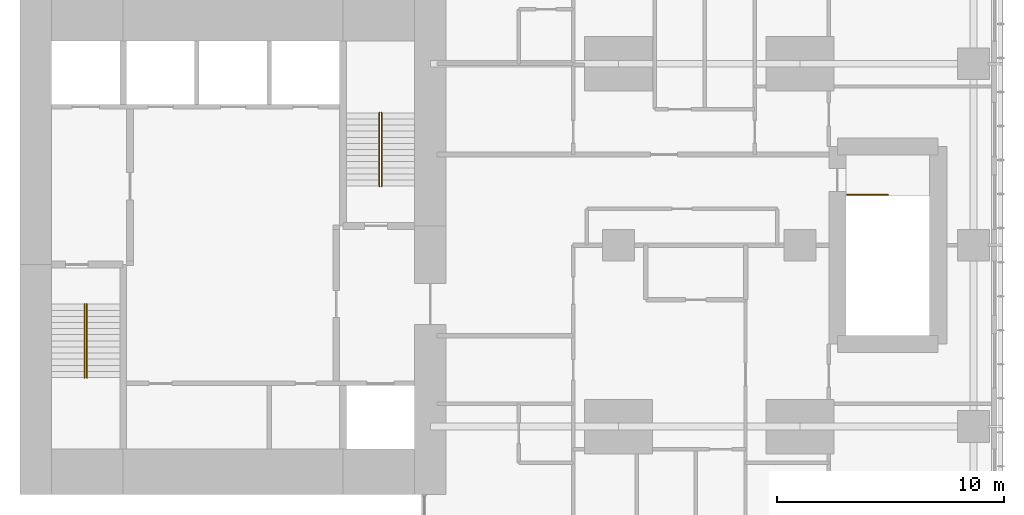
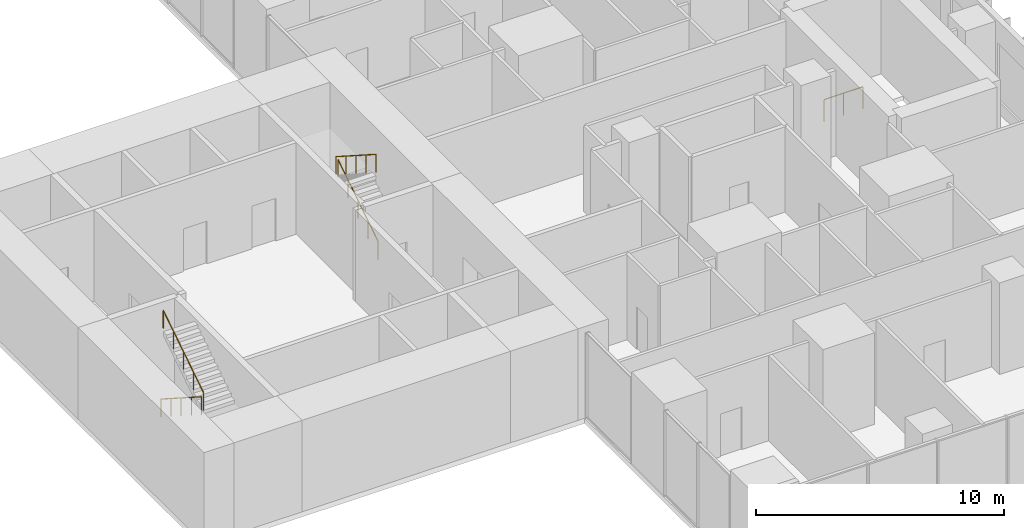
# One storey, part 11 of 11: 5 railings.
"""IFC4 building model written with IfcOpenShell, lengths in metres."""

from ifc_helpers import new_model, si_unit, direction, frame, origin, origin_2d, place, context, subcontext, project, spatial, circle, extrude, material, type_object, element, save


model = new_model("IFC4")

# Units and contexts
model_context = context("Model", 3, precision=1e-05, world=origin(), true_north=direction((0.0, 1.0)))
body_context = subcontext(model_context, "Body", "Model", "MODEL_VIEW")
ifc_project = project(units=[si_unit("LENGTHUNIT", "METRE"), si_unit("AREAUNIT", "SQUARE_METRE"), si_unit("VOLUMEUNIT", "CUBIC_METRE"), si_unit("PLANEANGLEUNIT", "RADIAN"), si_unit("MASSUNIT", "GRAM", prefix="KILO")], contexts=[model_context])

# Site, building, storey
site_placement = place(None, origin())
site = spatial("IfcSite", under=ifc_project, at=site_placement, CompositionType="ELEMENT")
building_placement = place(site_placement, origin())
building = spatial("IfcBuilding", under=site, at=building_placement, Name="Cleftline Residences", CompositionType="ELEMENT")
storey_placement = place(building_placement, frame((0.0, 0.0, 287.10009765625)))
storey = spatial("IfcBuildingStorey", under=building, at=storey_placement, Name="L75", CompositionType="ELEMENT", Elevation=287.10009765625)

# Railings
ifc_material_1 = material(Name="Stainless steel", Category="steel")
railing_type_1 = type_object("IfcRailingType", Name="HANDRAIL 900", PredefinedType="HANDRAIL", material=ifc_material_1)
railing_1_placement = place(storey_placement, frame((26.449951171875, 21.39990234375, 0.173095703125)))
element("IfcRailing", 1, at=railing_1_placement, inside=storey, type_object=railing_type_1, Name="Stair handrail", PredefinedType="HANDRAIL", context=body_context, shape_type="SweptSolid", body=[
    extrude(circle(Radius=0.02392578125, at=origin_2d()), frame((0.0, 0.0, 0.8759765625), z_axis=(0.0, -0.841880617004, 0.539663808971), x_axis=(1.0, 0.0, 0.0)), (0.0, 0.0, 1.0), 3.8486328125),
    extrude(circle(Radius=0.02099609375, at=origin_2d()), origin(), (0.0, 0.0, 1.0), 0.851806640625),
    extrude(circle(Radius=0.02099609375, at=origin_2d()), frame((0.0, -0.81005859375, 0.519287109375)), (0.0, 0.0, 1.0), 0.851806640625),
    extrude(circle(Radius=0.02099609375, at=origin_2d()), frame((0.0, -1.6201171875, 1.03857421875)), (0.0, 0.0, 1.0), 0.851806640625),
    extrude(circle(Radius=0.02099609375, at=origin_2d()), frame((0.0, -2.429931640625, 1.5576171875)), (0.0, 0.0, 1.0), 0.851806640625),
    extrude(circle(Radius=0.02099609375, at=origin_2d()), frame((0.0, -3.239990234375, 2.076904296875)), (0.0, 0.0, 1.0), 0.851806640625),
])
for number, where, name in (
    (2, (26.550048828125, 18.159912109375, 2.423095703125), "Stair handrail"),
    (3, (39.550048828125, 26.60009765625, 0.173095703125), "Stair handrail"),
):
    element("IfcRailing", number, at=place(storey_placement, frame(where)), inside=storey, type_object=railing_type_1, Name=name, PredefinedType="HANDRAIL", context=body_context, shape_type="SweptSolid", body=[
        extrude(circle(Radius=0.02392578125, at=origin_2d()), frame((0.0, 0.0, 0.8759765625), z_axis=(0.0, 0.841880617004, 0.539663808971), x_axis=(-1.0, 0.0, 0.0)), (0.0, 0.0, 1.0), 3.8486328125),
        extrude(circle(Radius=0.02099609375, at=origin_2d()), origin(), (0.0, 0.0, 1.0), 0.851806640625),
        extrude(circle(Radius=0.02099609375, at=origin_2d()), frame((0.0, 0.81005859375, 0.519287109375)), (0.0, 0.0, 1.0), 0.851806640625),
        extrude(circle(Radius=0.02099609375, at=origin_2d()), frame((0.0, 1.6201171875, 1.03857421875)), (0.0, 0.0, 1.0), 0.851806640625),
        extrude(circle(Radius=0.02099609375, at=origin_2d()), frame((0.0, 2.429931640625, 1.5576171875)), (0.0, 0.0, 1.0), 0.851806640625),
        extrude(circle(Radius=0.02099609375, at=origin_2d()), frame((0.0, 3.239990234375, 2.076904296875)), (0.0, 0.0, 1.0), 0.851806640625),
    ])
railing_2_placement = place(storey_placement, frame((39.449951171875, 29.840087890625, 2.423095703125)))
element("IfcRailing", 4, at=railing_2_placement, inside=storey, type_object=railing_type_1, Name="Stair handrail", PredefinedType="HANDRAIL", context=body_context, shape_type="SweptSolid", body=[
    extrude(circle(Radius=0.02392578125, at=origin_2d()), frame((0.0, 0.0, 0.8759765625), z_axis=(0.0, -0.841880617004, 0.539663808971), x_axis=(1.0, 0.0, 0.0)), (0.0, 0.0, 1.0), 3.8486328125),
    extrude(circle(Radius=0.02099609375, at=origin_2d()), origin(), (0.0, 0.0, 1.0), 0.851806640625),
    extrude(circle(Radius=0.02099609375, at=origin_2d()), frame((0.0, -0.81005859375, 0.519287109375)), (0.0, 0.0, 1.0), 0.851806640625),
    extrude(circle(Radius=0.02099609375, at=origin_2d()), frame((0.0, -1.6201171875, 1.03857421875)), (0.0, 0.0, 1.0), 0.851806640625),
    extrude(circle(Radius=0.02099609375, at=origin_2d()), frame((0.0, -2.429931640625, 1.5576171875)), (0.0, 0.0, 1.0), 0.851806640625),
    extrude(circle(Radius=0.02099609375, at=origin_2d()), frame((0.0, -3.239990234375, 2.076904296875)), (0.0, 0.0, 1.0), 0.851806640625),
])
ifc_material_2 = material(Name="Stainless steel", Category="steel")
railing_type_2 = type_object("IfcRailingType", Name="STAIR GUARD 1100", PredefinedType="GUARDRAIL", material=ifc_material_2)
railing_3_placement = place(storey_placement, frame((60.074951171875, 26.22509765625, 0.0)))
element("IfcRailing", 5, at=railing_3_placement, inside=storey, type_object=railing_type_2, Name="Stair well guard", PredefinedType="GUARDRAIL", context=body_context, shape_type="SweptSolid", body=[
    extrude(circle(Radius=0.02392578125, at=origin_2d()), frame((0.0, 0.0, 1.076171875), z_axis=(1.0, 0.0, 0.0), x_axis=(0.0, 1.0, 0.0)), (0.0, 0.0, 1.0), 1.800048828125),
    extrude(circle(Radius=0.02099609375, at=origin_2d()), origin(), (0.0, 0.0, 1.0), 1.052001953125),
    extrude(circle(Radius=0.02099609375, at=origin_2d()), frame((0.89990234375, 0.0, 0.0)), (0.0, 0.0, 1.0), 1.052001953125),
    extrude(circle(Radius=0.02099609375, at=origin_2d()), frame((1.800048828125, 0.0, 0.0)), (0.0, 0.0, 1.0), 1.052001953125),
])

save(model, "model.ifc")
